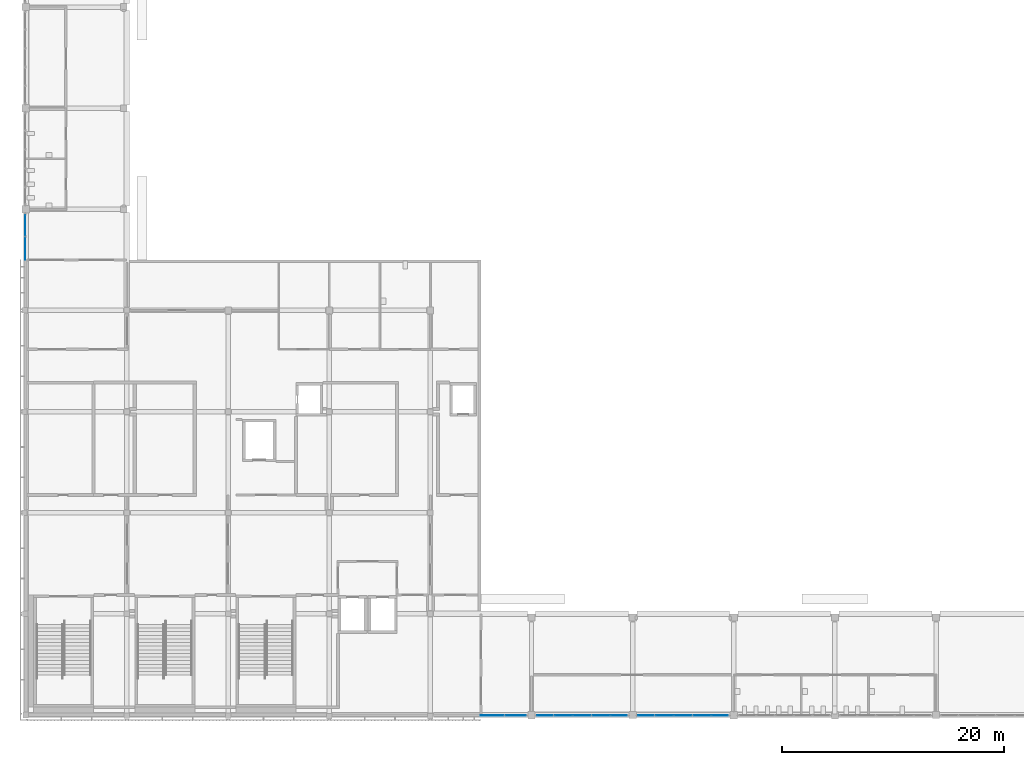
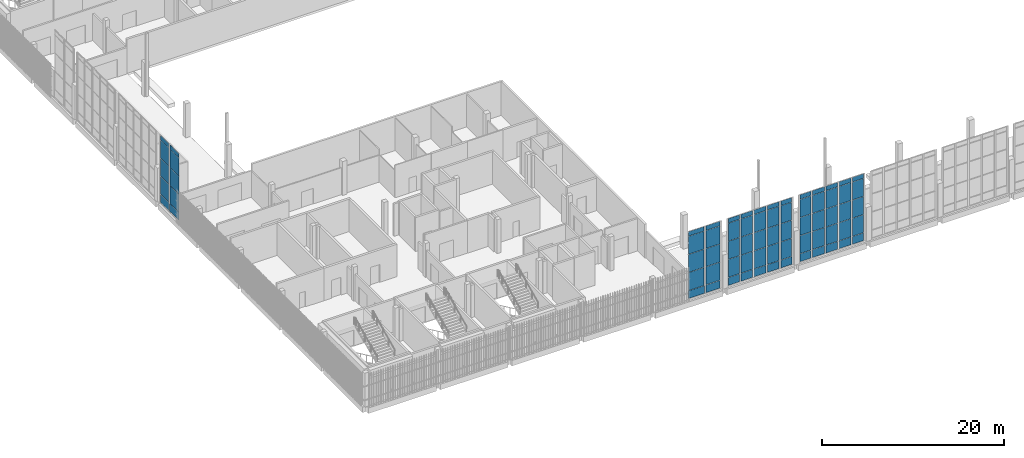
# One storey, part 30 of 91: 70 plates, 4 elements without a shape of their own.
"""IFC4 building model written with IfcOpenShell, lengths in metres."""

from ifc_helpers import new_model, si_unit, direction, frame, origin, origin_2d, place, context, subcontext, project, spatial, rectangle, extrude, material, layer, layer_set, type_object, element, aggregate, save


model = new_model("IFC4")

# Units and contexts
model_context = context("Model", 3, precision=1e-05, world=origin(), true_north=direction((0.0, 1.0)))
body_context = subcontext(model_context, "Body", "Model", "MODEL_VIEW")
ifc_project = project(units=[si_unit("LENGTHUNIT", "METRE"), si_unit("AREAUNIT", "SQUARE_METRE"), si_unit("VOLUMEUNIT", "CUBIC_METRE"), si_unit("PLANEANGLEUNIT", "RADIAN"), si_unit("MASSUNIT", "GRAM", prefix="KILO")], contexts=[model_context])

# Site, building, storey
site_placement = place(None, origin())
site = spatial("IfcSite", under=ifc_project, at=site_placement, CompositionType="ELEMENT")
building_placement = place(site_placement, origin())
building = spatial("IfcBuilding", under=site, at=building_placement, Name="Shirokan Park Arena", CompositionType="ELEMENT")
storey_placement = place(building_placement, frame((0.0, 0.0, 24.570068359375)))
storey = spatial("IfcBuildingStorey", under=building, at=storey_placement, Name="L05", CompositionType="ELEMENT", Elevation=24.570068359375)

# Curtain wall, plates
ifc_material_1 = material(Name="Steel and glass curtain wall", Category="steel")
ifc_layer_1 = layer(ifc_material_1, 0.199951171875)
ifc_layer_set_1 = layer_set([ifc_layer_1], Name="Steel and glass curtain wall 200 mm")
curtain_wall_type = type_object("IfcCurtainWallType", Name="Curtain wall hall bay 200", PredefinedType="NOTDEFINED", material=ifc_layer_set_1)
curtain_wall_1_placement = place(storey_placement, origin())
curtain_wall_1 = element("IfcCurtainWall", 1, at=curtain_wall_1_placement, inside=storey, type_object=curtain_wall_type, Name="Curtain wall south bay 5 L05", PredefinedType="NOTDEFINED")
ifc_material_2 = material(Name="Toughened glass", Category="glass")
ifc_layer_2 = layer(ifc_material_2, 0.012939453125, Name="Toughened glass")
ifc_material_3 = material(Name="Interlayer film")
ifc_layer_3 = layer(ifc_material_3, 0.001953125, Name="Interlayer film")
ifc_layer_4 = layer(ifc_material_2, 0.012939453125, Name="Toughened glass")
ifc_layer_set_2 = layer_set([ifc_layer_2, ifc_layer_3, ifc_layer_4], Name="Toughened glass + Interlayer film")
plate_type_1 = type_object("IfcPlateType", Name="Laminated glass panel 28", PredefinedType="CURTAIN_PANEL", material=ifc_layer_set_2)
plate_1_placement = place(storey_placement, frame((41.956298828125, -0.050048828125, 1.1201171875), z_axis=(0.0, 0.0, 1.0), x_axis=(1.0, 0.0, 0.0)))
plate_1 = element("IfcPlate", 2, at=plate_1_placement, type_object=plate_type_1, Name="CW5 panel 1.2", PredefinedType="CURTAIN_PANEL", context=body_context, shape_type="SweptSolid", body=[
    extrude(rectangle(XDim=2.012451171875, YDim=0.028076171875, at=origin_2d()), origin(), (0.0, 0.0, 1.0), 2.393310546875),
])
plate_2_placement = place(storey_placement, frame((41.956298828125, -0.050048828125, 3.55322265625), z_axis=(0.0, 0.0, 1.0), x_axis=(1.0, 0.0, 0.0)))
plate_2 = element("IfcPlate", 3, at=plate_2_placement, type_object=plate_type_1, Name="CW5 panel 1.3", PredefinedType="CURTAIN_PANEL", context=body_context, shape_type="SweptSolid", body=[
    extrude(rectangle(XDim=2.012451171875, YDim=0.028076171875, at=origin_2d()), origin(), (0.0, 0.0, 1.0), 2.393310546875),
])
plate_3_placement = place(storey_placement, frame((41.956298828125, -0.050048828125, 5.98681640625), z_axis=(0.0, 0.0, 1.0), x_axis=(1.0, 0.0, 0.0)))
plate_3 = element("IfcPlate", 4, at=plate_3_placement, type_object=plate_type_1, Name="CW5 panel 1.4", PredefinedType="CURTAIN_PANEL", context=body_context, shape_type="SweptSolid", body=[
    extrude(rectangle(XDim=2.012451171875, YDim=0.028076171875, at=origin_2d()), origin(), (0.0, 0.0, 1.0), 2.393310546875),
])
plate_4_placement = place(storey_placement, frame((41.956298828125, -0.050048828125, 8.419921875), z_axis=(0.0, 0.0, 1.0), x_axis=(1.0, 0.0, 0.0)))
plate_4 = element("IfcPlate", 5, at=plate_4_placement, type_object=plate_type_1, Name="CW5 panel 1.5", PredefinedType="CURTAIN_PANEL", context=body_context, shape_type="SweptSolid", body=[
    extrude(rectangle(XDim=2.012451171875, YDim=0.028076171875, at=origin_2d()), origin(), (0.0, 0.0, 1.0), 0.590087890625),
])
plate_5_placement = place(storey_placement, frame((44.06884765625, -0.050048828125, 1.1201171875), z_axis=(0.0, 0.0, 1.0), x_axis=(1.0, 0.0, 0.0)))
plate_5 = element("IfcPlate", 6, at=plate_5_placement, type_object=plate_type_1, Name="CW5 panel 2.2", PredefinedType="CURTAIN_PANEL", context=body_context, shape_type="SweptSolid", body=[
    extrude(rectangle(XDim=1.8125, YDim=0.028076171875, at=origin_2d()), origin(), (0.0, 0.0, 1.0), 2.393310546875),
])
plate_6_placement = place(storey_placement, frame((44.06884765625, -0.050048828125, 3.55322265625), z_axis=(0.0, 0.0, 1.0), x_axis=(1.0, 0.0, 0.0)))
plate_6 = element("IfcPlate", 7, at=plate_6_placement, type_object=plate_type_1, Name="CW5 panel 2.3", PredefinedType="CURTAIN_PANEL", context=body_context, shape_type="SweptSolid", body=[
    extrude(rectangle(XDim=1.8125, YDim=0.028076171875, at=origin_2d()), origin(), (0.0, 0.0, 1.0), 2.393310546875),
])
plate_7_placement = place(storey_placement, frame((44.06884765625, -0.050048828125, 5.98681640625), z_axis=(0.0, 0.0, 1.0), x_axis=(1.0, 0.0, 0.0)))
plate_7 = element("IfcPlate", 8, at=plate_7_placement, type_object=plate_type_1, Name="CW5 panel 2.4", PredefinedType="CURTAIN_PANEL", context=body_context, shape_type="SweptSolid", body=[
    extrude(rectangle(XDim=1.8125, YDim=0.028076171875, at=origin_2d()), origin(), (0.0, 0.0, 1.0), 2.393310546875),
])
plate_8_placement = place(storey_placement, frame((44.06884765625, -0.050048828125, 8.419921875), z_axis=(0.0, 0.0, 1.0), x_axis=(1.0, 0.0, 0.0)))
plate_8 = element("IfcPlate", 9, at=plate_8_placement, type_object=plate_type_1, Name="CW5 panel 2.5", PredefinedType="CURTAIN_PANEL", context=body_context, shape_type="SweptSolid", body=[
    extrude(rectangle(XDim=1.8125, YDim=0.028076171875, at=origin_2d()), origin(), (0.0, 0.0, 1.0), 0.590087890625),
])

curtain_wall_2_placement = place(storey_placement, origin())
curtain_wall_2 = element("IfcCurtainWall", 10, at=curtain_wall_2_placement, inside=storey, type_object=curtain_wall_type, Name="Curtain wall south bay 6 L05", PredefinedType="NOTDEFINED")
plate_9_placement = place(storey_placement, frame((46.719970703125, -0.050048828125, 1.1201171875), z_axis=(0.0, 0.0, 1.0), x_axis=(1.0, 0.0, 0.0)))
plate_9 = element("IfcPlate", 11, at=plate_9_placement, type_object=plate_type_1, Name="CW5 panel 1.2", PredefinedType="CURTAIN_PANEL", context=body_context, shape_type="SweptSolid", body=[
    extrude(rectangle(XDim=1.389892578125, YDim=0.028076171875, at=origin_2d()), origin(), (0.0, 0.0, 1.0), 2.393310546875),
])
plate_10_placement = place(storey_placement, frame((46.719970703125, -0.050048828125, 3.55322265625), z_axis=(0.0, 0.0, 1.0), x_axis=(1.0, 0.0, 0.0)))
plate_10 = element("IfcPlate", 12, at=plate_10_placement, type_object=plate_type_1, Name="CW5 panel 1.3", PredefinedType="CURTAIN_PANEL", context=body_context, shape_type="SweptSolid", body=[
    extrude(rectangle(XDim=1.389892578125, YDim=0.028076171875, at=origin_2d()), origin(), (0.0, 0.0, 1.0), 2.393310546875),
])
plate_11_placement = place(storey_placement, frame((46.719970703125, -0.050048828125, 5.98681640625), z_axis=(0.0, 0.0, 1.0), x_axis=(1.0, 0.0, 0.0)))
plate_11 = element("IfcPlate", 13, at=plate_11_placement, type_object=plate_type_1, Name="CW5 panel 1.4", PredefinedType="CURTAIN_PANEL", context=body_context, shape_type="SweptSolid", body=[
    extrude(rectangle(XDim=1.389892578125, YDim=0.028076171875, at=origin_2d()), origin(), (0.0, 0.0, 1.0), 2.393310546875),
])
plate_12_placement = place(storey_placement, frame((46.719970703125, -0.050048828125, 8.419921875), z_axis=(0.0, 0.0, 1.0), x_axis=(1.0, 0.0, 0.0)))
plate_12 = element("IfcPlate", 14, at=plate_12_placement, type_object=plate_type_1, Name="CW5 panel 1.5", PredefinedType="CURTAIN_PANEL", context=body_context, shape_type="SweptSolid", body=[
    extrude(rectangle(XDim=1.389892578125, YDim=0.028076171875, at=origin_2d()), origin(), (0.0, 0.0, 1.0), 0.590087890625),
])
plate_13_placement = place(storey_placement, frame((48.360107421875, -0.050048828125, 1.1201171875), z_axis=(0.0, 0.0, 1.0), x_axis=(1.0, 0.0, 0.0)))
plate_13 = element("IfcPlate", 15, at=plate_13_placement, type_object=plate_type_1, Name="CW5 panel 2.2", PredefinedType="CURTAIN_PANEL", context=body_context, shape_type="SweptSolid", body=[
    extrude(rectangle(XDim=1.489990234375, YDim=0.028076171875, at=origin_2d()), origin(), (0.0, 0.0, 1.0), 2.393310546875),
])
plate_14_placement = place(storey_placement, frame((48.360107421875, -0.050048828125, 3.55322265625), z_axis=(0.0, 0.0, 1.0), x_axis=(1.0, 0.0, 0.0)))
plate_14 = element("IfcPlate", 16, at=plate_14_placement, type_object=plate_type_1, Name="CW5 panel 2.3", PredefinedType="CURTAIN_PANEL", context=body_context, shape_type="SweptSolid", body=[
    extrude(rectangle(XDim=1.489990234375, YDim=0.028076171875, at=origin_2d()), origin(), (0.0, 0.0, 1.0), 2.393310546875),
])
plate_15_placement = place(storey_placement, frame((48.360107421875, -0.050048828125, 5.98681640625), z_axis=(0.0, 0.0, 1.0), x_axis=(1.0, 0.0, 0.0)))
plate_15 = element("IfcPlate", 17, at=plate_15_placement, type_object=plate_type_1, Name="CW5 panel 2.4", PredefinedType="CURTAIN_PANEL", context=body_context, shape_type="SweptSolid", body=[
    extrude(rectangle(XDim=1.489990234375, YDim=0.028076171875, at=origin_2d()), origin(), (0.0, 0.0, 1.0), 2.393310546875),
])
plate_16_placement = place(storey_placement, frame((48.360107421875, -0.050048828125, 8.419921875), z_axis=(0.0, 0.0, 1.0), x_axis=(1.0, 0.0, 0.0)))
plate_16 = element("IfcPlate", 18, at=plate_16_placement, type_object=plate_type_1, Name="CW5 panel 2.5", PredefinedType="CURTAIN_PANEL", context=body_context, shape_type="SweptSolid", body=[
    extrude(rectangle(XDim=1.489990234375, YDim=0.028076171875, at=origin_2d()), origin(), (0.0, 0.0, 1.0), 0.590087890625),
])
plate_17_placement = place(storey_placement, frame((50.050048828125, -0.050048828125, 1.1201171875), z_axis=(0.0, 0.0, 1.0), x_axis=(1.0, 0.0, 0.0)))
plate_17 = element("IfcPlate", 19, at=plate_17_placement, type_object=plate_type_1, Name="CW5 panel 3.2", PredefinedType="CURTAIN_PANEL", context=body_context, shape_type="SweptSolid", body=[
    extrude(rectangle(XDim=1.489990234375, YDim=0.028076171875, at=origin_2d()), origin(), (0.0, 0.0, 1.0), 2.393310546875),
])
plate_18_placement = place(storey_placement, frame((50.050048828125, -0.050048828125, 3.55322265625), z_axis=(0.0, 0.0, 1.0), x_axis=(1.0, 0.0, 0.0)))
plate_18 = element("IfcPlate", 20, at=plate_18_placement, type_object=plate_type_1, Name="CW5 panel 3.3", PredefinedType="CURTAIN_PANEL", context=body_context, shape_type="SweptSolid", body=[
    extrude(rectangle(XDim=1.489990234375, YDim=0.028076171875, at=origin_2d()), origin(), (0.0, 0.0, 1.0), 2.393310546875),
])
plate_19_placement = place(storey_placement, frame((50.050048828125, -0.050048828125, 5.98681640625), z_axis=(0.0, 0.0, 1.0), x_axis=(1.0, 0.0, 0.0)))
plate_19 = element("IfcPlate", 21, at=plate_19_placement, type_object=plate_type_1, Name="CW5 panel 3.4", PredefinedType="CURTAIN_PANEL", context=body_context, shape_type="SweptSolid", body=[
    extrude(rectangle(XDim=1.489990234375, YDim=0.028076171875, at=origin_2d()), origin(), (0.0, 0.0, 1.0), 2.393310546875),
])
plate_20_placement = place(storey_placement, frame((50.050048828125, -0.050048828125, 8.419921875), z_axis=(0.0, 0.0, 1.0), x_axis=(1.0, 0.0, 0.0)))
plate_20 = element("IfcPlate", 22, at=plate_20_placement, type_object=plate_type_1, Name="CW5 panel 3.5", PredefinedType="CURTAIN_PANEL", context=body_context, shape_type="SweptSolid", body=[
    extrude(rectangle(XDim=1.489990234375, YDim=0.028076171875, at=origin_2d()), origin(), (0.0, 0.0, 1.0), 0.590087890625),
])
plate_21_placement = place(storey_placement, frame((51.739990234375, -0.050048828125, 1.1201171875), z_axis=(0.0, 0.0, 1.0), x_axis=(1.0, 0.0, 0.0)))
plate_21 = element("IfcPlate", 23, at=plate_21_placement, type_object=plate_type_1, Name="CW5 panel 4.2", PredefinedType="CURTAIN_PANEL", context=body_context, shape_type="SweptSolid", body=[
    extrude(rectangle(XDim=1.489990234375, YDim=0.028076171875, at=origin_2d()), origin(), (0.0, 0.0, 1.0), 2.393310546875),
])
plate_22_placement = place(storey_placement, frame((51.739990234375, -0.050048828125, 3.55322265625), z_axis=(0.0, 0.0, 1.0), x_axis=(1.0, 0.0, 0.0)))
plate_22 = element("IfcPlate", 24, at=plate_22_placement, type_object=plate_type_1, Name="CW5 panel 4.3", PredefinedType="CURTAIN_PANEL", context=body_context, shape_type="SweptSolid", body=[
    extrude(rectangle(XDim=1.489990234375, YDim=0.028076171875, at=origin_2d()), origin(), (0.0, 0.0, 1.0), 2.393310546875),
])
plate_23_placement = place(storey_placement, frame((51.739990234375, -0.050048828125, 5.98681640625), z_axis=(0.0, 0.0, 1.0), x_axis=(1.0, 0.0, 0.0)))
plate_23 = element("IfcPlate", 25, at=plate_23_placement, type_object=plate_type_1, Name="CW5 panel 4.4", PredefinedType="CURTAIN_PANEL", context=body_context, shape_type="SweptSolid", body=[
    extrude(rectangle(XDim=1.489990234375, YDim=0.028076171875, at=origin_2d()), origin(), (0.0, 0.0, 1.0), 2.393310546875),
])
plate_24_placement = place(storey_placement, frame((51.739990234375, -0.050048828125, 8.419921875), z_axis=(0.0, 0.0, 1.0), x_axis=(1.0, 0.0, 0.0)))
plate_24 = element("IfcPlate", 26, at=plate_24_placement, type_object=plate_type_1, Name="CW5 panel 4.5", PredefinedType="CURTAIN_PANEL", context=body_context, shape_type="SweptSolid", body=[
    extrude(rectangle(XDim=1.489990234375, YDim=0.028076171875, at=origin_2d()), origin(), (0.0, 0.0, 1.0), 0.590087890625),
])
plate_25_placement = place(storey_placement, frame((53.3798828125, -0.050048828125, 1.1201171875), z_axis=(0.0, 0.0, 1.0), x_axis=(1.0, 0.0, 0.0)))
plate_25 = element("IfcPlate", 27, at=plate_25_placement, type_object=plate_type_1, Name="CW5 panel 5.2", PredefinedType="CURTAIN_PANEL", context=body_context, shape_type="SweptSolid", body=[
    extrude(rectangle(XDim=1.389892578125, YDim=0.028076171875, at=origin_2d()), origin(), (0.0, 0.0, 1.0), 2.393310546875),
])
plate_26_placement = place(storey_placement, frame((53.3798828125, -0.050048828125, 3.55322265625), z_axis=(0.0, 0.0, 1.0), x_axis=(1.0, 0.0, 0.0)))
plate_26 = element("IfcPlate", 28, at=plate_26_placement, type_object=plate_type_1, Name="CW5 panel 5.3", PredefinedType="CURTAIN_PANEL", context=body_context, shape_type="SweptSolid", body=[
    extrude(rectangle(XDim=1.389892578125, YDim=0.028076171875, at=origin_2d()), origin(), (0.0, 0.0, 1.0), 2.393310546875),
])
plate_27_placement = place(storey_placement, frame((53.3798828125, -0.050048828125, 5.98681640625), z_axis=(0.0, 0.0, 1.0), x_axis=(1.0, 0.0, 0.0)))
plate_27 = element("IfcPlate", 29, at=plate_27_placement, type_object=plate_type_1, Name="CW5 panel 5.4", PredefinedType="CURTAIN_PANEL", context=body_context, shape_type="SweptSolid", body=[
    extrude(rectangle(XDim=1.389892578125, YDim=0.028076171875, at=origin_2d()), origin(), (0.0, 0.0, 1.0), 2.393310546875),
])
plate_28_placement = place(storey_placement, frame((53.3798828125, -0.050048828125, 8.419921875), z_axis=(0.0, 0.0, 1.0), x_axis=(1.0, 0.0, 0.0)))
plate_28 = element("IfcPlate", 30, at=plate_28_placement, type_object=plate_type_1, Name="CW5 panel 5.5", PredefinedType="CURTAIN_PANEL", context=body_context, shape_type="SweptSolid", body=[
    extrude(rectangle(XDim=1.389892578125, YDim=0.028076171875, at=origin_2d()), origin(), (0.0, 0.0, 1.0), 0.590087890625),
])

curtain_wall_3_placement = place(storey_placement, origin())
curtain_wall_3 = element("IfcCurtainWall", 31, at=curtain_wall_3_placement, inside=storey, type_object=curtain_wall_type, Name="Curtain wall south bay 7 L05", PredefinedType="NOTDEFINED")
plate_29_placement = place(storey_placement, frame((55.820068359375, -0.050048828125, 1.1201171875), z_axis=(0.0, 0.0, 1.0), x_axis=(1.0, 0.0, 0.0)))
plate_29 = element("IfcPlate", 32, at=plate_29_placement, type_object=plate_type_1, Name="CW5 panel 1.2", PredefinedType="CURTAIN_PANEL", context=body_context, shape_type="SweptSolid", body=[
    extrude(rectangle(XDim=1.389892578125, YDim=0.028076171875, at=origin_2d()), origin(), (0.0, 0.0, 1.0), 2.393310546875),
])
plate_30_placement = place(storey_placement, frame((55.820068359375, -0.050048828125, 3.55322265625), z_axis=(0.0, 0.0, 1.0), x_axis=(1.0, 0.0, 0.0)))
plate_30 = element("IfcPlate", 33, at=plate_30_placement, type_object=plate_type_1, Name="CW5 panel 1.3", PredefinedType="CURTAIN_PANEL", context=body_context, shape_type="SweptSolid", body=[
    extrude(rectangle(XDim=1.389892578125, YDim=0.028076171875, at=origin_2d()), origin(), (0.0, 0.0, 1.0), 2.393310546875),
])
plate_31_placement = place(storey_placement, frame((55.820068359375, -0.050048828125, 5.98681640625), z_axis=(0.0, 0.0, 1.0), x_axis=(1.0, 0.0, 0.0)))
plate_31 = element("IfcPlate", 34, at=plate_31_placement, type_object=plate_type_1, Name="CW5 panel 1.4", PredefinedType="CURTAIN_PANEL", context=body_context, shape_type="SweptSolid", body=[
    extrude(rectangle(XDim=1.389892578125, YDim=0.028076171875, at=origin_2d()), origin(), (0.0, 0.0, 1.0), 2.393310546875),
])
plate_32_placement = place(storey_placement, frame((55.820068359375, -0.050048828125, 8.419921875), z_axis=(0.0, 0.0, 1.0), x_axis=(1.0, 0.0, 0.0)))
plate_32 = element("IfcPlate", 35, at=plate_32_placement, type_object=plate_type_1, Name="CW5 panel 1.5", PredefinedType="CURTAIN_PANEL", context=body_context, shape_type="SweptSolid", body=[
    extrude(rectangle(XDim=1.389892578125, YDim=0.028076171875, at=origin_2d()), origin(), (0.0, 0.0, 1.0), 0.590087890625),
])
plate_33_placement = place(storey_placement, frame((57.4599609375, -0.050048828125, 1.1201171875), z_axis=(0.0, 0.0, 1.0), x_axis=(1.0, 0.0, 0.0)))
plate_33 = element("IfcPlate", 36, at=plate_33_placement, type_object=plate_type_1, Name="CW5 panel 2.2", PredefinedType="CURTAIN_PANEL", context=body_context, shape_type="SweptSolid", body=[
    extrude(rectangle(XDim=1.489990234375, YDim=0.028076171875, at=origin_2d()), origin(), (0.0, 0.0, 1.0), 2.393310546875),
])
plate_34_placement = place(storey_placement, frame((57.4599609375, -0.050048828125, 3.55322265625), z_axis=(0.0, 0.0, 1.0), x_axis=(1.0, 0.0, 0.0)))
plate_34 = element("IfcPlate", 37, at=plate_34_placement, type_object=plate_type_1, Name="CW5 panel 2.3", PredefinedType="CURTAIN_PANEL", context=body_context, shape_type="SweptSolid", body=[
    extrude(rectangle(XDim=1.489990234375, YDim=0.028076171875, at=origin_2d()), origin(), (0.0, 0.0, 1.0), 2.393310546875),
])
plate_35_placement = place(storey_placement, frame((57.4599609375, -0.050048828125, 5.98681640625), z_axis=(0.0, 0.0, 1.0), x_axis=(1.0, 0.0, 0.0)))
plate_35 = element("IfcPlate", 38, at=plate_35_placement, type_object=plate_type_1, Name="CW5 panel 2.4", PredefinedType="CURTAIN_PANEL", context=body_context, shape_type="SweptSolid", body=[
    extrude(rectangle(XDim=1.489990234375, YDim=0.028076171875, at=origin_2d()), origin(), (0.0, 0.0, 1.0), 2.393310546875),
])
plate_36_placement = place(storey_placement, frame((57.4599609375, -0.050048828125, 8.419921875), z_axis=(0.0, 0.0, 1.0), x_axis=(1.0, 0.0, 0.0)))
plate_36 = element("IfcPlate", 39, at=plate_36_placement, type_object=plate_type_1, Name="CW5 panel 2.5", PredefinedType="CURTAIN_PANEL", context=body_context, shape_type="SweptSolid", body=[
    extrude(rectangle(XDim=1.489990234375, YDim=0.028076171875, at=origin_2d()), origin(), (0.0, 0.0, 1.0), 0.590087890625),
])
plate_37_placement = place(storey_placement, frame((59.14990234375, -0.050048828125, 1.1201171875), z_axis=(0.0, 0.0, 1.0), x_axis=(1.0, 0.0, 0.0)))
plate_37 = element("IfcPlate", 40, at=plate_37_placement, type_object=plate_type_1, Name="CW5 panel 3.2", PredefinedType="CURTAIN_PANEL", context=body_context, shape_type="SweptSolid", body=[
    extrude(rectangle(XDim=1.489990234375, YDim=0.028076171875, at=origin_2d()), origin(), (0.0, 0.0, 1.0), 2.393310546875),
])
plate_38_placement = place(storey_placement, frame((59.14990234375, -0.050048828125, 3.55322265625), z_axis=(0.0, 0.0, 1.0), x_axis=(1.0, 0.0, 0.0)))
plate_38 = element("IfcPlate", 41, at=plate_38_placement, type_object=plate_type_1, Name="CW5 panel 3.3", PredefinedType="CURTAIN_PANEL", context=body_context, shape_type="SweptSolid", body=[
    extrude(rectangle(XDim=1.489990234375, YDim=0.028076171875, at=origin_2d()), origin(), (0.0, 0.0, 1.0), 2.393310546875),
])
plate_39_placement = place(storey_placement, frame((59.14990234375, -0.050048828125, 5.98681640625), z_axis=(0.0, 0.0, 1.0), x_axis=(1.0, 0.0, 0.0)))
plate_39 = element("IfcPlate", 42, at=plate_39_placement, type_object=plate_type_1, Name="CW5 panel 3.4", PredefinedType="CURTAIN_PANEL", context=body_context, shape_type="SweptSolid", body=[
    extrude(rectangle(XDim=1.489990234375, YDim=0.028076171875, at=origin_2d()), origin(), (0.0, 0.0, 1.0), 2.393310546875),
])
plate_40_placement = place(storey_placement, frame((59.14990234375, -0.050048828125, 8.419921875), z_axis=(0.0, 0.0, 1.0), x_axis=(1.0, 0.0, 0.0)))
plate_40 = element("IfcPlate", 43, at=plate_40_placement, type_object=plate_type_1, Name="CW5 panel 3.5", PredefinedType="CURTAIN_PANEL", context=body_context, shape_type="SweptSolid", body=[
    extrude(rectangle(XDim=1.489990234375, YDim=0.028076171875, at=origin_2d()), origin(), (0.0, 0.0, 1.0), 0.590087890625),
])
plate_41_placement = place(storey_placement, frame((60.840087890625, -0.050048828125, 1.1201171875), z_axis=(0.0, 0.0, 1.0), x_axis=(1.0, 0.0, 0.0)))
plate_41 = element("IfcPlate", 44, at=plate_41_placement, type_object=plate_type_1, Name="CW5 panel 4.2", PredefinedType="CURTAIN_PANEL", context=body_context, shape_type="SweptSolid", body=[
    extrude(rectangle(XDim=1.489990234375, YDim=0.028076171875, at=origin_2d()), origin(), (0.0, 0.0, 1.0), 2.393310546875),
])
plate_42_placement = place(storey_placement, frame((60.840087890625, -0.050048828125, 3.55322265625), z_axis=(0.0, 0.0, 1.0), x_axis=(1.0, 0.0, 0.0)))
plate_42 = element("IfcPlate", 45, at=plate_42_placement, type_object=plate_type_1, Name="CW5 panel 4.3", PredefinedType="CURTAIN_PANEL", context=body_context, shape_type="SweptSolid", body=[
    extrude(rectangle(XDim=1.489990234375, YDim=0.028076171875, at=origin_2d()), origin(), (0.0, 0.0, 1.0), 2.393310546875),
])
plate_43_placement = place(storey_placement, frame((60.840087890625, -0.050048828125, 5.98681640625), z_axis=(0.0, 0.0, 1.0), x_axis=(1.0, 0.0, 0.0)))
plate_43 = element("IfcPlate", 46, at=plate_43_placement, type_object=plate_type_1, Name="CW5 panel 4.4", PredefinedType="CURTAIN_PANEL", context=body_context, shape_type="SweptSolid", body=[
    extrude(rectangle(XDim=1.489990234375, YDim=0.028076171875, at=origin_2d()), origin(), (0.0, 0.0, 1.0), 2.393310546875),
])
plate_44_placement = place(storey_placement, frame((60.840087890625, -0.050048828125, 8.419921875), z_axis=(0.0, 0.0, 1.0), x_axis=(1.0, 0.0, 0.0)))
plate_44 = element("IfcPlate", 47, at=plate_44_placement, type_object=plate_type_1, Name="CW5 panel 4.5", PredefinedType="CURTAIN_PANEL", context=body_context, shape_type="SweptSolid", body=[
    extrude(rectangle(XDim=1.489990234375, YDim=0.028076171875, at=origin_2d()), origin(), (0.0, 0.0, 1.0), 0.590087890625),
])
plate_45_placement = place(storey_placement, frame((62.47998046875, -0.050048828125, 1.1201171875), z_axis=(0.0, 0.0, 1.0), x_axis=(1.0, 0.0, 0.0)))
plate_45 = element("IfcPlate", 48, at=plate_45_placement, type_object=plate_type_1, Name="CW5 panel 5.2", PredefinedType="CURTAIN_PANEL", context=body_context, shape_type="SweptSolid", body=[
    extrude(rectangle(XDim=1.389892578125, YDim=0.028076171875, at=origin_2d()), origin(), (0.0, 0.0, 1.0), 2.393310546875),
])
plate_46_placement = place(storey_placement, frame((62.47998046875, -0.050048828125, 3.55322265625), z_axis=(0.0, 0.0, 1.0), x_axis=(1.0, 0.0, 0.0)))
plate_46 = element("IfcPlate", 49, at=plate_46_placement, type_object=plate_type_1, Name="CW5 panel 5.3", PredefinedType="CURTAIN_PANEL", context=body_context, shape_type="SweptSolid", body=[
    extrude(rectangle(XDim=1.389892578125, YDim=0.028076171875, at=origin_2d()), origin(), (0.0, 0.0, 1.0), 2.393310546875),
])
plate_47_placement = place(storey_placement, frame((62.47998046875, -0.050048828125, 5.98681640625), z_axis=(0.0, 0.0, 1.0), x_axis=(1.0, 0.0, 0.0)))
plate_47 = element("IfcPlate", 50, at=plate_47_placement, type_object=plate_type_1, Name="CW5 panel 5.4", PredefinedType="CURTAIN_PANEL", context=body_context, shape_type="SweptSolid", body=[
    extrude(rectangle(XDim=1.389892578125, YDim=0.028076171875, at=origin_2d()), origin(), (0.0, 0.0, 1.0), 2.393310546875),
])
plate_48_placement = place(storey_placement, frame((62.47998046875, -0.050048828125, 8.419921875), z_axis=(0.0, 0.0, 1.0), x_axis=(1.0, 0.0, 0.0)))
plate_48 = element("IfcPlate", 51, at=plate_48_placement, type_object=plate_type_1, Name="CW5 panel 5.5", PredefinedType="CURTAIN_PANEL", context=body_context, shape_type="SweptSolid", body=[
    extrude(rectangle(XDim=1.389892578125, YDim=0.028076171875, at=origin_2d()), origin(), (0.0, 0.0, 1.0), 0.590087890625),
])

curtain_wall_4_placement = place(storey_placement, origin())
curtain_wall_4 = element("IfcCurtainWall", 52, at=curtain_wall_4_placement, inside=storey, type_object=curtain_wall_type, Name="Curtain wall west bay 8 L05", PredefinedType="NOTDEFINED")
plate_49_placement = place(storey_placement, frame((-0.050048828125, 44.06884765625, 1.1201171875), z_axis=(0.0, 0.0, 1.0), x_axis=(0.0, -1.0, 0.0)))
plate_49 = element("IfcPlate", 53, at=plate_49_placement, type_object=plate_type_1, Name="CW5 panel 1.2", PredefinedType="CURTAIN_PANEL", context=body_context, shape_type="SweptSolid", body=[
    extrude(rectangle(XDim=1.8125, YDim=0.028076171875, at=origin_2d()), origin(), (0.0, 0.0, 1.0), 2.393310546875),
])
plate_50_placement = place(storey_placement, frame((-0.050048828125, 44.06884765625, 3.55322265625), z_axis=(0.0, 0.0, 1.0), x_axis=(0.0, -1.0, 0.0)))
plate_50 = element("IfcPlate", 54, at=plate_50_placement, type_object=plate_type_1, Name="CW5 panel 1.3", PredefinedType="CURTAIN_PANEL", context=body_context, shape_type="SweptSolid", body=[
    extrude(rectangle(XDim=1.8125, YDim=0.028076171875, at=origin_2d()), origin(), (0.0, 0.0, 1.0), 2.393310546875),
])
plate_51_placement = place(storey_placement, frame((-0.050048828125, 44.06884765625, 5.98681640625), z_axis=(0.0, 0.0, 1.0), x_axis=(0.0, -1.0, 0.0)))
plate_51 = element("IfcPlate", 55, at=plate_51_placement, type_object=plate_type_1, Name="CW5 panel 1.4", PredefinedType="CURTAIN_PANEL", context=body_context, shape_type="SweptSolid", body=[
    extrude(rectangle(XDim=1.8125, YDim=0.028076171875, at=origin_2d()), origin(), (0.0, 0.0, 1.0), 2.393310546875),
])
plate_52_placement = place(storey_placement, frame((-0.050048828125, 44.06884765625, 8.419921875), z_axis=(0.0, 0.0, 1.0), x_axis=(0.0, -1.0, 0.0)))
plate_52 = element("IfcPlate", 56, at=plate_52_placement, type_object=plate_type_1, Name="CW5 panel 1.5", PredefinedType="CURTAIN_PANEL", context=body_context, shape_type="SweptSolid", body=[
    extrude(rectangle(XDim=1.8125, YDim=0.028076171875, at=origin_2d()), origin(), (0.0, 0.0, 1.0), 0.590087890625),
])
plate_53_placement = place(storey_placement, frame((-0.050048828125, 41.956298828125, 1.1201171875), z_axis=(0.0, 0.0, 1.0), x_axis=(0.0, -1.0, 0.0)))
plate_53 = element("IfcPlate", 57, at=plate_53_placement, type_object=plate_type_1, Name="CW5 panel 2.2", PredefinedType="CURTAIN_PANEL", context=body_context, shape_type="SweptSolid", body=[
    extrude(rectangle(XDim=2.012451171875, YDim=0.028076171875, at=origin_2d()), origin(), (0.0, 0.0, 1.0), 2.393310546875),
])
plate_54_placement = place(storey_placement, frame((-0.050048828125, 41.956298828125, 3.55322265625), z_axis=(0.0, 0.0, 1.0), x_axis=(0.0, -1.0, 0.0)))
plate_54 = element("IfcPlate", 58, at=plate_54_placement, type_object=plate_type_1, Name="CW5 panel 2.3", PredefinedType="CURTAIN_PANEL", context=body_context, shape_type="SweptSolid", body=[
    extrude(rectangle(XDim=2.012451171875, YDim=0.028076171875, at=origin_2d()), origin(), (0.0, 0.0, 1.0), 2.393310546875),
])
plate_55_placement = place(storey_placement, frame((-0.050048828125, 41.956298828125, 5.98681640625), z_axis=(0.0, 0.0, 1.0), x_axis=(0.0, -1.0, 0.0)))
plate_55 = element("IfcPlate", 59, at=plate_55_placement, type_object=plate_type_1, Name="CW5 panel 2.4", PredefinedType="CURTAIN_PANEL", context=body_context, shape_type="SweptSolid", body=[
    extrude(rectangle(XDim=2.012451171875, YDim=0.028076171875, at=origin_2d()), origin(), (0.0, 0.0, 1.0), 2.393310546875),
])
plate_56_placement = place(storey_placement, frame((-0.050048828125, 41.956298828125, 8.419921875), z_axis=(0.0, 0.0, 1.0), x_axis=(0.0, -1.0, 0.0)))
plate_56 = element("IfcPlate", 60, at=plate_56_placement, type_object=plate_type_1, Name="CW5 panel 2.5", PredefinedType="CURTAIN_PANEL", context=body_context, shape_type="SweptSolid", body=[
    extrude(rectangle(XDim=2.012451171875, YDim=0.028076171875, at=origin_2d()), origin(), (0.0, 0.0, 1.0), 0.590087890625),
])

# Plate
ifc_layer_5 = layer(ifc_material_2, 0.01708984375, Name="Toughened glass")
ifc_layer_6 = layer(ifc_material_3, 0.001953125, Name="Interlayer film")
ifc_layer_7 = layer(ifc_material_2, 0.01708984375, Name="Toughened glass")
ifc_layer_set_3 = layer_set([ifc_layer_5, ifc_layer_6, ifc_layer_7], Name="Toughened glass + Interlayer film")
plate_type_2 = type_object("IfcPlateType", Name="Laminated safety glass panel 36", PredefinedType="CURTAIN_PANEL", material=ifc_layer_set_3)
plate_57_placement = place(storey_placement, frame((41.956298828125, -0.050048828125, 0.039794921875), z_axis=(0.0, 0.0, 1.0), x_axis=(1.0, 0.0, 0.0)))
plate_57 = element("IfcPlate", 61, at=plate_57_placement, type_object=plate_type_2, Name="CW5 panel 1.1", PredefinedType="CURTAIN_PANEL", context=body_context, shape_type="SweptSolid", body=[
    extrude(rectangle(XDim=2.012451171875, YDim=0.035888671875, at=origin_2d()), origin(), (0.0, 0.0, 1.0), 1.0400390625),
])

plate_58_placement = place(storey_placement, frame((44.06884765625, -0.050048828125, 0.039794921875), z_axis=(0.0, 0.0, 1.0), x_axis=(1.0, 0.0, 0.0)))
plate_58 = element("IfcPlate", 62, at=plate_58_placement, type_object=plate_type_2, Name="CW5 panel 2.1", PredefinedType="CURTAIN_PANEL", context=body_context, shape_type="SweptSolid", body=[
    extrude(rectangle(XDim=1.8125, YDim=0.035888671875, at=origin_2d()), origin(), (0.0, 0.0, 1.0), 1.0400390625),
])

aggregate(curtain_wall_1, [plate_57, plate_1, plate_2, plate_3, plate_4, plate_58, plate_5, plate_6, plate_7, plate_8])

plate_59_placement = place(storey_placement, frame((46.719970703125, -0.050048828125, 0.039794921875), z_axis=(0.0, 0.0, 1.0), x_axis=(1.0, 0.0, 0.0)))
plate_59 = element("IfcPlate", 63, at=plate_59_placement, type_object=plate_type_2, Name="CW5 panel 1.1", PredefinedType="CURTAIN_PANEL", context=body_context, shape_type="SweptSolid", body=[
    extrude(rectangle(XDim=1.389892578125, YDim=0.035888671875, at=origin_2d()), origin(), (0.0, 0.0, 1.0), 1.0400390625),
])

plate_60_placement = place(storey_placement, frame((48.360107421875, -0.050048828125, 0.039794921875), z_axis=(0.0, 0.0, 1.0), x_axis=(1.0, 0.0, 0.0)))
plate_60 = element("IfcPlate", 64, at=plate_60_placement, type_object=plate_type_2, Name="CW5 panel 2.1", PredefinedType="CURTAIN_PANEL", context=body_context, shape_type="SweptSolid", body=[
    extrude(rectangle(XDim=1.489990234375, YDim=0.035888671875, at=origin_2d()), origin(), (0.0, 0.0, 1.0), 1.0400390625),
])

plate_61_placement = place(storey_placement, frame((50.050048828125, -0.050048828125, 0.039794921875), z_axis=(0.0, 0.0, 1.0), x_axis=(1.0, 0.0, 0.0)))
plate_61 = element("IfcPlate", 65, at=plate_61_placement, type_object=plate_type_2, Name="CW5 panel 3.1", PredefinedType="CURTAIN_PANEL", context=body_context, shape_type="SweptSolid", body=[
    extrude(rectangle(XDim=1.489990234375, YDim=0.035888671875, at=origin_2d()), origin(), (0.0, 0.0, 1.0), 1.0400390625),
])

plate_62_placement = place(storey_placement, frame((51.739990234375, -0.050048828125, 0.039794921875), z_axis=(0.0, 0.0, 1.0), x_axis=(1.0, 0.0, 0.0)))
plate_62 = element("IfcPlate", 66, at=plate_62_placement, type_object=plate_type_2, Name="CW5 panel 4.1", PredefinedType="CURTAIN_PANEL", context=body_context, shape_type="SweptSolid", body=[
    extrude(rectangle(XDim=1.489990234375, YDim=0.035888671875, at=origin_2d()), origin(), (0.0, 0.0, 1.0), 1.0400390625),
])

plate_63_placement = place(storey_placement, frame((53.3798828125, -0.050048828125, 0.039794921875), z_axis=(0.0, 0.0, 1.0), x_axis=(1.0, 0.0, 0.0)))
plate_63 = element("IfcPlate", 67, at=plate_63_placement, type_object=plate_type_2, Name="CW5 panel 5.1", PredefinedType="CURTAIN_PANEL", context=body_context, shape_type="SweptSolid", body=[
    extrude(rectangle(XDim=1.389892578125, YDim=0.035888671875, at=origin_2d()), origin(), (0.0, 0.0, 1.0), 1.0400390625),
])

aggregate(curtain_wall_2, [plate_59, plate_9, plate_10, plate_11, plate_12, plate_60, plate_13, plate_14, plate_15, plate_16, plate_61, plate_17, plate_18, plate_19, plate_20, plate_62, plate_21, plate_22, plate_23, plate_24, plate_63, plate_25, plate_26, plate_27, plate_28])

plate_64_placement = place(storey_placement, frame((55.820068359375, -0.050048828125, 0.039794921875), z_axis=(0.0, 0.0, 1.0), x_axis=(1.0, 0.0, 0.0)))
plate_64 = element("IfcPlate", 68, at=plate_64_placement, type_object=plate_type_2, Name="CW5 panel 1.1", PredefinedType="CURTAIN_PANEL", context=body_context, shape_type="SweptSolid", body=[
    extrude(rectangle(XDim=1.389892578125, YDim=0.035888671875, at=origin_2d()), origin(), (0.0, 0.0, 1.0), 1.0400390625),
])

plate_65_placement = place(storey_placement, frame((57.4599609375, -0.050048828125, 0.039794921875), z_axis=(0.0, 0.0, 1.0), x_axis=(1.0, 0.0, 0.0)))
plate_65 = element("IfcPlate", 69, at=plate_65_placement, type_object=plate_type_2, Name="CW5 panel 2.1", PredefinedType="CURTAIN_PANEL", context=body_context, shape_type="SweptSolid", body=[
    extrude(rectangle(XDim=1.489990234375, YDim=0.035888671875, at=origin_2d()), origin(), (0.0, 0.0, 1.0), 1.0400390625),
])

plate_66_placement = place(storey_placement, frame((59.14990234375, -0.050048828125, 0.039794921875), z_axis=(0.0, 0.0, 1.0), x_axis=(1.0, 0.0, 0.0)))
plate_66 = element("IfcPlate", 70, at=plate_66_placement, type_object=plate_type_2, Name="CW5 panel 3.1", PredefinedType="CURTAIN_PANEL", context=body_context, shape_type="SweptSolid", body=[
    extrude(rectangle(XDim=1.489990234375, YDim=0.035888671875, at=origin_2d()), origin(), (0.0, 0.0, 1.0), 1.0400390625),
])

plate_67_placement = place(storey_placement, frame((60.840087890625, -0.050048828125, 0.039794921875), z_axis=(0.0, 0.0, 1.0), x_axis=(1.0, 0.0, 0.0)))
plate_67 = element("IfcPlate", 71, at=plate_67_placement, type_object=plate_type_2, Name="CW5 panel 4.1", PredefinedType="CURTAIN_PANEL", context=body_context, shape_type="SweptSolid", body=[
    extrude(rectangle(XDim=1.489990234375, YDim=0.035888671875, at=origin_2d()), origin(), (0.0, 0.0, 1.0), 1.0400390625),
])

plate_68_placement = place(storey_placement, frame((62.47998046875, -0.050048828125, 0.039794921875), z_axis=(0.0, 0.0, 1.0), x_axis=(1.0, 0.0, 0.0)))
plate_68 = element("IfcPlate", 72, at=plate_68_placement, type_object=plate_type_2, Name="CW5 panel 5.1", PredefinedType="CURTAIN_PANEL", context=body_context, shape_type="SweptSolid", body=[
    extrude(rectangle(XDim=1.389892578125, YDim=0.035888671875, at=origin_2d()), origin(), (0.0, 0.0, 1.0), 1.0400390625),
])

aggregate(curtain_wall_3, [plate_64, plate_29, plate_30, plate_31, plate_32, plate_65, plate_33, plate_34, plate_35, plate_36, plate_66, plate_37, plate_38, plate_39, plate_40, plate_67, plate_41, plate_42, plate_43, plate_44, plate_68, plate_45, plate_46, plate_47, plate_48])

plate_69_placement = place(storey_placement, frame((-0.050048828125, 44.06884765625, 0.039794921875), z_axis=(0.0, 0.0, 1.0), x_axis=(0.0, -1.0, 0.0)))
plate_69 = element("IfcPlate", 73, at=plate_69_placement, type_object=plate_type_2, Name="CW5 panel 1.1", PredefinedType="CURTAIN_PANEL", context=body_context, shape_type="SweptSolid", body=[
    extrude(rectangle(XDim=1.8125, YDim=0.035888671875, at=origin_2d()), origin(), (0.0, 0.0, 1.0), 1.0400390625),
])

plate_70_placement = place(storey_placement, frame((-0.050048828125, 41.956298828125, 0.039794921875), z_axis=(0.0, 0.0, 1.0), x_axis=(0.0, -1.0, 0.0)))
plate_70 = element("IfcPlate", 74, at=plate_70_placement, type_object=plate_type_2, Name="CW5 panel 2.1", PredefinedType="CURTAIN_PANEL", context=body_context, shape_type="SweptSolid", body=[
    extrude(rectangle(XDim=2.012451171875, YDim=0.035888671875, at=origin_2d()), origin(), (0.0, 0.0, 1.0), 1.0400390625),
])

aggregate(curtain_wall_4, [plate_69, plate_49, plate_50, plate_51, plate_52, plate_70, plate_53, plate_54, plate_55, plate_56])

save(model, "model.ifc")
